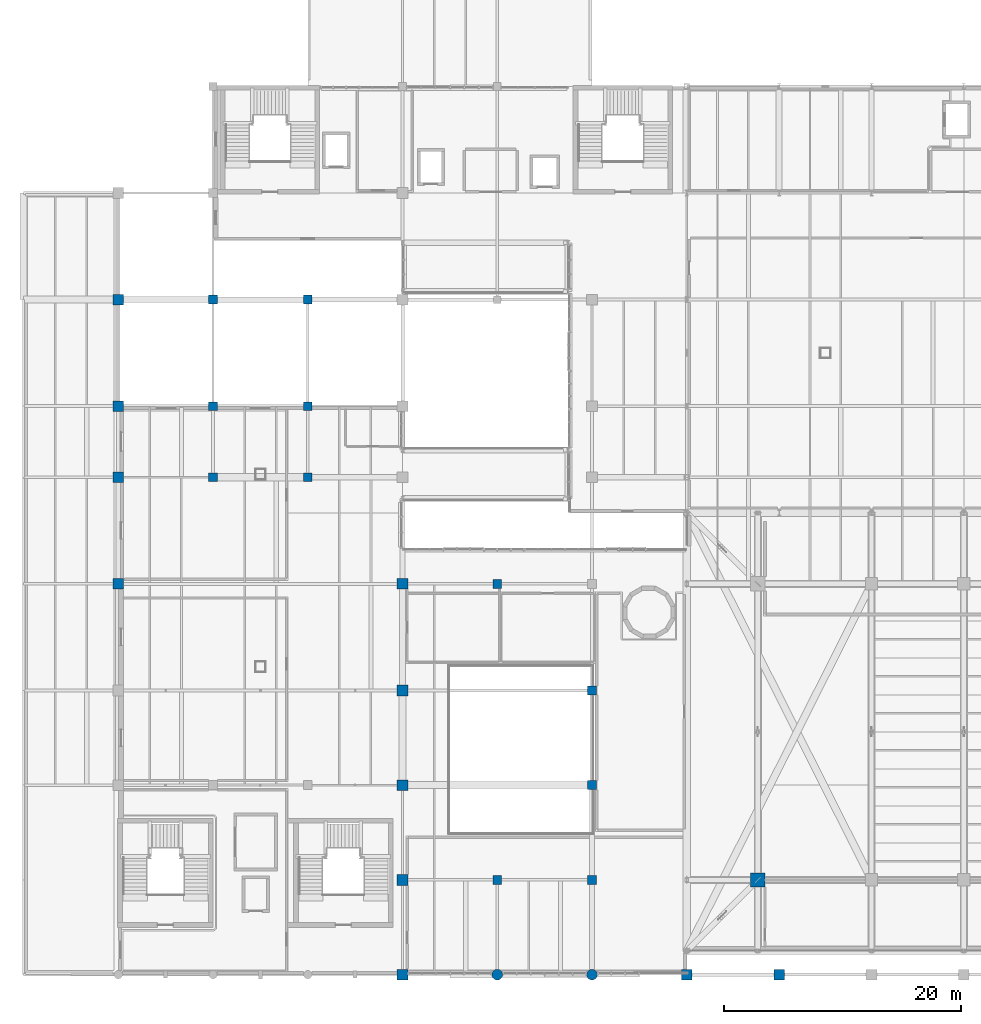
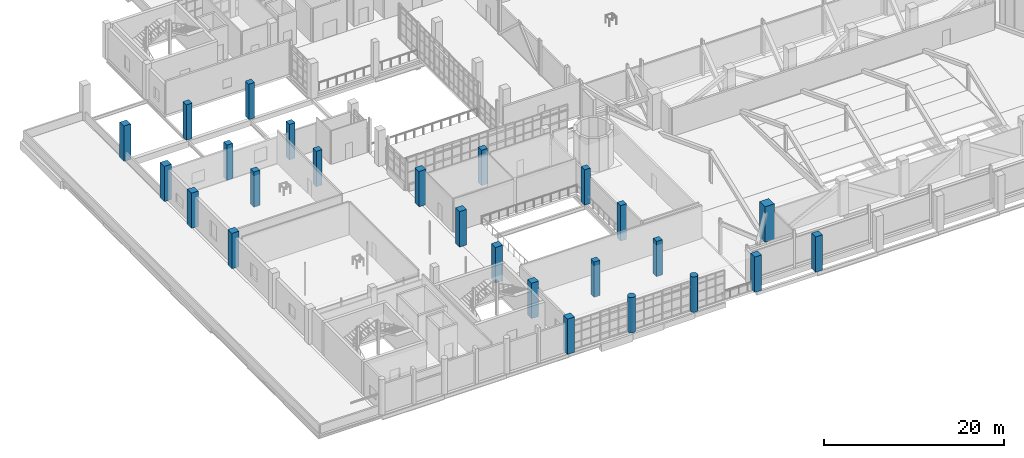
# One storey, part 2 of 127: 25 columns.
"""IFC4 building model written with IfcOpenShell, lengths in metres."""

from ifc_helpers import new_model, si_unit, derived_unit, direction, frame, origin, origin_2d, place, context, subcontext, project, spatial, rectangle, circle, extrude, material, material_profile, profile_set, type_object, element, save


model = new_model("IFC4")

# Units and contexts
model_context = context("Model", 3, precision=1e-05, world=origin(), true_north=direction((0.0, 1.0)))
body_context = subcontext(model_context, "Body", "Model", "MODEL_VIEW")
ifc_project = project(units=[si_unit("LENGTHUNIT", "METRE"), si_unit("AREAUNIT", "SQUARE_METRE"), si_unit("VOLUMEUNIT", "CUBIC_METRE"), si_unit("PLANEANGLEUNIT", "RADIAN"), si_unit("MASSUNIT", "GRAM", prefix="KILO"), derived_unit("THERMALTRANSMITTANCEUNIT", [(si_unit("POWERUNIT", "WATT"), 1), (si_unit("LENGTHUNIT", "METRE"), -2), (si_unit("THERMODYNAMICTEMPERATUREUNIT", "KELVIN"), -1)])], contexts=[model_context])

# Site, building, storey
site_placement = place(None, origin())
site = spatial("IfcSite", under=ifc_project, at=site_placement, CompositionType="ELEMENT")
building_placement = place(site_placement, origin())
building = spatial("IfcBuilding", under=site, at=building_placement, Name="Nallur Shell Playhouse", CompositionType="ELEMENT")
storey_placement = place(building_placement, frame((0.0, 0.0, 5.39990234375)))
storey = spatial("IfcBuildingStorey", under=building, at=storey_placement, Name="L02", CompositionType="ELEMENT", Elevation=5.39990234375)

# Columns
ifc_material_1 = material(Name="Concrete M45", Category="concrete")
ifc_material_profile_1 = material_profile(ifc_material_1, rectangle(XDim=1.199951171875, YDim=1.199951171875, at=origin_2d()), Name="RC 1200x1200")
ifc_profile_set_1 = profile_set([ifc_material_profile_1], Name="Concrete M45")
column_type_1 = type_object("IfcColumnType", Name="CL-RC-1200", PredefinedType="COLUMN", material=ifc_profile_set_1)
column_placement = place(storey_placement, frame((70.0, 16.0, 0.0), z_axis=(0.0, 0.0, 1.0), x_axis=(1.0, 0.0, 0.0)))
element("IfcColumn", 1, at=column_placement, inside=storey, type_object=column_type_1, Name="Column MC1S (L02)", PredefinedType="COLUMN", context=body_context, shape_type="SweptSolid", body=[
    extrude(rectangle(XDim=1.199951171875, YDim=1.199951171875, at=origin_2d()), origin(), (0.0, 0.0, 1.0), 4.800048828125),
])
ifc_material_2 = material(Name="Concrete M40", Category="concrete")
ifc_material_profile_2 = material_profile(ifc_material_2, rectangle(XDim=0.75, YDim=0.75, at=origin_2d()), Name="RC 750x750")
ifc_profile_set_2 = profile_set([ifc_material_profile_2], Name="Concrete M40")
column_type_2 = type_object("IfcColumnType", Name="CL-RC-750", PredefinedType="COLUMN", material=ifc_profile_set_2)
for number, where, z_axis, x_axis, name in (
    (2, (24.0, 50.0, 0.0), (0.0, 0.0, 1.0), (1.0, 0.0, 0.0), "Column 3-F (L02)"),
    (3, (24.0, 56.0, 0.0), (0.0, 0.0, 1.0), (1.0, 0.0, 0.0), "Column 3-G (L02)"),
    (4, (24.0, 65.0, 0.0), (0.0, 0.0, 1.0), (1.0, 0.0, 0.0), "Column 3-H (L02)"),
    (5, (32.0, 50.0, 0.0), (0.0, 0.0, 1.0), (1.0, 0.0, 0.0), "Column 4-F (L02)"),
    (6, (32.0, 56.0, 0.0), (0.0, 0.0, 1.0), (1.0, 0.0, 0.0), "Column 4-G (L02)"),
    (7, (32.0, 65.0, 0.0), (0.0, 0.0, 1.0), (1.0, 0.0, 0.0), "Column 4-H (L02)"),
    (8, (48.0, 16.0, 0.0), (0.0, 0.0, 1.0), (1.0, 0.0, 0.0), "Column 6-B (L02)"),
    (9, (48.0, 41.0, 0.0), (0.0, 0.0, 1.0), (1.0, 0.0, 0.0), "Column 6-E (L02)"),
    (10, (56.0, 16.0, 0.0), (0.0, 0.0, 1.0), (1.0, 0.0, 0.0), "Column 7-B (L02)"),
    (11, (56.0, 24.0, 0.0), (0.0, 0.0, 1.0), (1.0, 0.0, 0.0), "Column 7-C (L02)"),
    (12, (56.0, 32.0, 0.0), (0.0, 0.0, 1.0), (1.0, 0.0, 0.0), "Column 7-D (L02)"),
):
    element("IfcColumn", number, at=place(storey_placement, frame(where, z_axis=z_axis, x_axis=x_axis)), inside=storey, type_object=column_type_2, Name=name, PredefinedType="COLUMN", context=body_context, shape_type="SweptSolid", body=[
        extrude(rectangle(XDim=0.75, YDim=0.75, at=origin_2d()), origin(), (0.0, 0.0, 1.0), 4.800048828125),
    ])
ifc_material_profile_3 = material_profile(ifc_material_2, rectangle(XDim=0.89990234375, YDim=0.89990234375, at=origin_2d()), Name="RC 900x900")
ifc_profile_set_3 = profile_set([ifc_material_profile_3], Name="Concrete M40")
column_type_3 = type_object("IfcColumnType", Name="CL-RC-900", PredefinedType="COLUMN", material=ifc_profile_set_3)
for number, where, z_axis, x_axis, name in (
    (13, (16.0, 41.0, 0.0), (0.0, 0.0, 1.0), (1.0, 0.0, 0.0), "Column 2-E (L02)"),
    (14, (16.0, 50.0, 0.0), (0.0, 0.0, 1.0), (1.0, 0.0, 0.0), "Column 2-F (L02)"),
    (15, (16.0, 56.0, 0.0), (0.0, 0.0, 1.0), (1.0, 0.0, 0.0), "Column 2-G (L02)"),
    (16, (16.0, 65.0, 0.0), (0.0, 0.0, 1.0), (1.0, 0.0, 0.0), "Column 2-H (L02)"),
    (17, (40.0, 8.0, 0.0), (0.0, 0.0, 1.0), (1.0, 0.0, 0.0), "Column 5-A (L02)"),
    (18, (40.0, 16.0, 0.0), (0.0, 0.0, 1.0), (1.0, 0.0, 0.0), "Column 5-B (L02)"),
    (19, (40.0, 24.0, 0.0), (0.0, 0.0, 1.0), (1.0, 0.0, 0.0), "Column 5-C (L02)"),
    (20, (40.0, 32.0, 0.0), (0.0, 0.0, 1.0), (1.0, 0.0, 0.0), "Column 5-D (L02)"),
    (21, (40.0, 41.0, 0.0), (0.0, 0.0, 1.0), (1.0, 0.0, 0.0), "Column 5-E (L02)"),
    (22, (64.0, 8.0, 0.0), (0.0, 0.0, 1.0), (1.0, 0.0, 0.0), "Column 8-A (L02)"),
    (23, (71.800048828125, 8.0, 0.0), (0.0, 0.0, 1.0), (1.0, 0.0, 0.0), "Column 9-A (L02)"),
):
    element("IfcColumn", number, at=place(storey_placement, frame(where, z_axis=z_axis, x_axis=x_axis)), inside=storey, type_object=column_type_3, Name=name, PredefinedType="COLUMN", context=body_context, shape_type="SweptSolid", body=[
        extrude(rectangle(XDim=0.89990234375, YDim=0.89990234375, at=origin_2d()), origin(), (0.0, 0.0, 1.0), 4.800048828125),
    ])
ifc_material_profile_4 = material_profile(ifc_material_1, circle(Radius=0.449951171875, at=origin_2d()), Name="RC D900")
ifc_profile_set_4 = profile_set([ifc_material_profile_4], Name="Concrete M45")
column_type_4 = type_object("IfcColumnType", Name="CL-RCD-900", PredefinedType="COLUMN", material=ifc_profile_set_4)
for number, where, z_axis, x_axis, name in (
    (24, (48.0, 8.0, 0.0), (0.0, 0.0, 1.0), (1.0, 0.0, 0.0), "Column 6-A (L02)"),
    (25, (56.0, 8.0, 0.0), (0.0, 0.0, 1.0), (1.0, 0.0, 0.0), "Column 7-A (L02)"),
):
    element("IfcColumn", number, at=place(storey_placement, frame(where, z_axis=z_axis, x_axis=x_axis)), inside=storey, type_object=column_type_4, Name=name, PredefinedType="COLUMN", context=body_context, shape_type="SweptSolid", body=[
        extrude(circle(Radius=0.449951171875, at=origin_2d()), origin(), (0.0, 0.0, 1.0), 4.800048828125),
    ])

save(model, "model.ifc")
